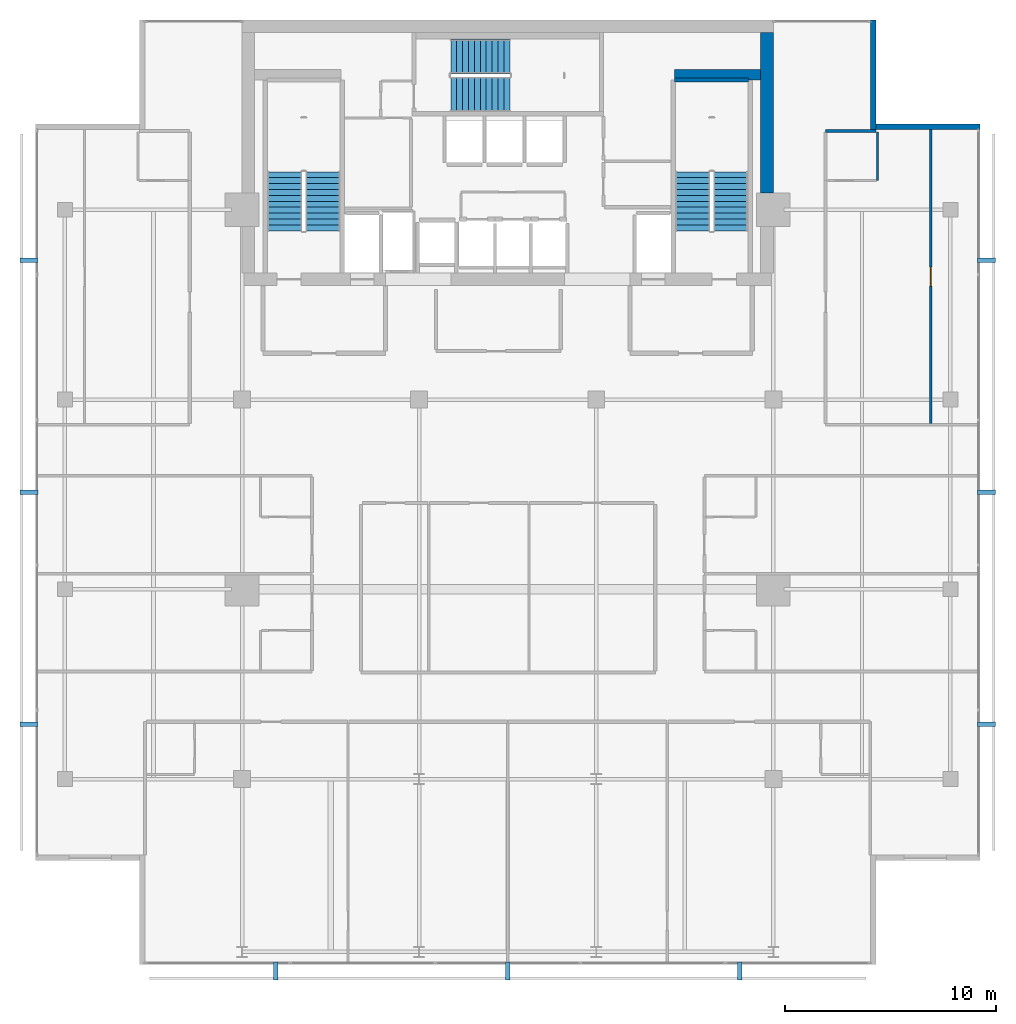
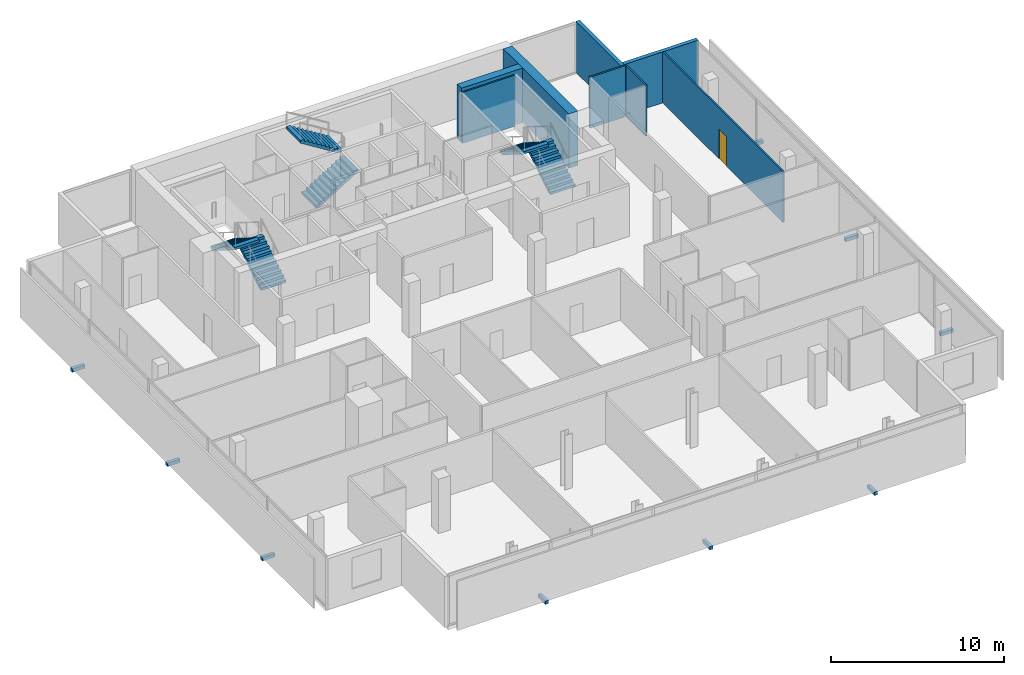
# One storey, part 23 of 25: 9 discrete accessories, 8 walls, 6 stair flights, 1 door, 1 opening, 3 elements without a shape of their own.
"""IFC4 building model written with IfcOpenShell, lengths in metres."""

from ifc_helpers import new_model, si_unit, direction, frame, frame_2d, origin, origin_2d, place, context, subcontext, project, spatial, polyline, rectangle, outline, extrude, material, layer, layer_set, type_object, element, fill, aggregate, save


model = new_model("IFC4")

# Units and contexts
model_context = context("Model", 3, precision=1e-05, world=origin(), true_north=direction((0.0, 1.0)))
body_context = subcontext(model_context, "Body", "Model", "MODEL_VIEW")
ifc_project = project(units=[si_unit("LENGTHUNIT", "METRE"), si_unit("AREAUNIT", "SQUARE_METRE"), si_unit("VOLUMEUNIT", "CUBIC_METRE"), si_unit("PLANEANGLEUNIT", "RADIAN"), si_unit("MASSUNIT", "GRAM", prefix="KILO")], contexts=[model_context])

# Site, building, storey
site_placement = place(None, origin())
site = spatial("IfcSite", under=ifc_project, at=site_placement, CompositionType="ELEMENT")
building_placement = place(site_placement, origin())
building = spatial("IfcBuilding", under=site, at=building_placement, Name="Maruvema Waterfront Hotel and Observation Tower", CompositionType="ELEMENT")
storey_placement = place(building_placement, frame((0.0, 0.0, 281.75)))
storey = spatial("IfcBuildingStorey", under=building, at=storey_placement, Name="L69", CompositionType="ELEMENT", Elevation=281.75)

# Walls
ifc_material_1 = material(Name="Precast concrete C45/55", Category="concrete")
ifc_layer_1 = layer(ifc_material_1, 0.199951171875, Name="Core Shaft and Stairwell Enclosure Wall 200 mm")
ifc_layer_set_1 = layer_set([ifc_layer_1], Name="Precast concrete C45/55")
wall_type_1 = type_object("IfcWallType", Name="Core Shaft and Stairwell Enclosure Wall 200 mm", PredefinedType="SOLIDWALL", material=ifc_layer_set_1)
wall_1_placement = place(storey_placement, frame((45.719970703125, 51.14990234375, 0.0), z_axis=(0.0, 0.0, 1.0), x_axis=(1.0, 0.0, 0.0)))
element("IfcWall", 1, at=wall_1_placement, inside=storey, type_object=wall_type_1, Name="L69 Stairwell ST-03 Shaft Lining Wall", PredefinedType="SOLIDWALL", context=body_context, shape_type="SweptSolid", body=[
    extrude(rectangle(XDim=3.5, YDim=0.199951171875, at=frame_2d((1.75, 0.0))), origin(), (0.0, 0.0, 1.0), 3.610107421875),
])
ifc_material_2 = material(Name="Concrete C70/85", Category="concrete")
ifc_layer_2 = layer(ifc_material_2, 0.5, Name="Core Shear Wall 500 mm")
ifc_layer_set_2 = layer_set([ifc_layer_2], Name="Concrete C70/85")
wall_type_2 = type_object("IfcWallType", Name="Core Shear Wall 500 mm", PredefinedType="SHEAR", material=ifc_layer_set_2)
wall_2_placement = place(storey_placement, frame((45.699951171875, 51.39990234375, 0.0), z_axis=(0.0, 0.0, 1.0), x_axis=(1.0, 0.0, 0.0)))
element("IfcWall", 2, at=wall_2_placement, inside=storey, type_object=wall_type_2, Name="L69 Internal Core Shear Wall NE 500 mm", PredefinedType="SHEAR", context=body_context, shape_type="SweptSolid", body=[
    extrude(rectangle(XDim=4.10009765625, YDim=0.5, at=frame_2d((2.050048828125, 0.0))), origin(), (0.0, 0.0, 1.0), 3.85009765625),
])
ifc_material_3 = material(Name="Concrete C60/75", Category="concrete")
ifc_layer_3 = layer(ifc_material_3, 0.60009765625, Name="Core Shear Wall 600 mm")
ifc_layer_set_3 = layer_set([ifc_layer_3], Name="Concrete C60/75")
wall_type_3 = type_object("IfcWallType", Name="Core Shear Wall 600 mm", PredefinedType="SHEAR", material=ifc_layer_set_3)
wall_3_placement = place(storey_placement, frame((50.10009765625, 45.800048828125, 0.0), z_axis=(0.0, 0.0, 1.0), x_axis=(0.0, 1.0, 0.0)))
element("IfcWall", 3, at=wall_3_placement, inside=storey, type_object=wall_type_3, Name="L69 East-North Core Shear Wall", PredefinedType="SHEAR", context=body_context, shape_type="SweptSolid", body=[
    extrude(rectangle(XDim=7.599853515625, YDim=0.60009765625, at=frame_2d((3.7998046875, 0.0))), origin(), (0.0, 0.0, 1.0), 3.85009765625),
])
ifc_material_4 = material(Name="Moisture-resistant cement-board drywall", Category="gypsum")
ifc_layer_4 = layer(ifc_material_4, 0.10009765625, Name="En-Suite Moisture-Resistant Partition 100 mm")
ifc_layer_set_4 = layer_set([ifc_layer_4], Name="Moisture-resistant cement-board drywall")
wall_type_4 = type_object("IfcWallType", Name="En-Suite Moisture-Resistant Partition 100 mm", PredefinedType="PARTITIONING", material=ifc_layer_set_4)
wall_4_placement = place(storey_placement, frame((55.330078125, 46.387451171875, 0.0), z_axis=(0.0, 0.0, 1.0), x_axis=(0.0, 1.0, 0.0)))
element("IfcWall", 4, at=wall_4_placement, inside=storey, type_object=wall_type_4, Name="L69 En-Suite L69-NE1 E 081", PredefinedType="PARTITIONING", context=body_context, shape_type="SweptSolid", body=[
    extrude(rectangle(XDim=2.2900390625, YDim=0.10009765625, at=frame_2d((1.14501953125, 0.0))), origin(), (0.0, 0.0, 1.0), 3.610107421875),
])

# Wall, opening, door
wall_5_placement = place(storey_placement, frame((57.8623046875, 34.860107421875, 0.0), z_axis=(0.0, 0.0, 1.0), x_axis=(0.0, 1.0, 0.0)))
wall_5 = element("IfcWall", 5, at=wall_5_placement, inside=storey, type_object=wall_type_4, Name="L69 Suite L69-NE1 Split 083", PredefinedType="PARTITIONING", context=body_context, shape_type="SweptSolid", body=[
    extrude(rectangle(XDim=13.9375, YDim=0.10009765625, at=frame_2d((6.96875, 0.0))), origin(), (0.0, 0.0, 1.0), 3.610107421875),
])
opening_placement = place(wall_5_placement, frame((6.518798828125, 0.0, 0.0)))
opening = element("IfcOpeningElement", 6, at=opening_placement, cuts=wall_5, Name="Opening DR-090", PredefinedType="OPENING", context=body_context, shape_type="SweptSolid", body=[
    extrude(rectangle(XDim=0.89990234375, YDim=2.10009765625, at=frame_2d((0.449951171875, 1.050048828125))), frame((0.0, 0.06005859375, 0.0), z_axis=(0.0, -1.0, 0.0), x_axis=(1.0, 0.0, 0.0)), (0.0, 0.0, 1.0), 0.1201171875),
])
ifc_material_5 = material(Name="Solid-core lacquered timber leaf", Category="wood")
door_type = type_object("IfcDoorType", Name="Accessible Toilet and Room Door 900x2100 mm", OperationType="NOTDEFINED", PredefinedType="DOOR", material=ifc_material_5)
door_placement = place(opening_placement, frame((0.89990234375, 0.0, 0.0), z_axis=(0.0, 0.0, 1.0), x_axis=(-1.0, 0.0, 0.0)))
door = element("IfcDoor", 7, at=door_placement, inside=storey, type_object=door_type, Name="L69 Suite L69-NE1 Bedroom Door", OperationType="SINGLE_SWING_LEFT", OverallHeight=2.10009765625, OverallWidth=0.89990234375, PredefinedType="DOOR", context=body_context, shape_type="SweptSolid", body=[
    extrude(rectangle(XDim=0.89990234375, YDim=2.10009765625, at=frame_2d((0.449951171875, 1.050048828125))), frame((0.0, 0.02490234375, 0.0), z_axis=(0.0, -1.0, 0.0), x_axis=(1.0, 0.0, 0.0)), (0.0, 0.0, 1.0), 0.050048828125),
])
fill(opening, door)

# Walls
ifc_material_6 = material(Name="Precast concrete C45/55 with honed Pernambuco granite facing", Category="masonry")
ifc_layer_5 = layer(ifc_material_6, 0.260009765625, Name="Exterior Granite Clad Spandrel and Pier Wall 260 mm")
ifc_layer_set_5 = layer_set([ifc_layer_5], Name="Precast concrete C45/55 with honed Pernambuco granite facing")
wall_type_5 = type_object("IfcWallType", Name="Exterior Granite Clad Spandrel and Pier Wall 260 mm", PredefinedType="SOLIDWALL", material=ifc_layer_set_5)
for number, where, z_axis, x_axis, name in (
    (8, (55.1298828125, 54.0, 0.0), (0.0, 0.0, 1.0), (0.0, -1.0, 0.0), "L69 Corner Notch Granite Pier Wall NE1"),
    (9, (55.0, 48.929931640625, 0.0), (0.0, 0.0, 1.0), (1.0, 0.0, 0.0), "L69 Corner Notch Granite Pier Wall NE2"),
):
    element("IfcWall", number, at=place(storey_placement, frame(where, z_axis=z_axis, x_axis=x_axis)), inside=storey, type_object=wall_type_5, Name=name, PredefinedType="SOLIDWALL", context=body_context, shape_type="SweptSolid", body=[
        extrude(rectangle(XDim=5.199951171875, YDim=0.260009765625, at=frame_2d((2.60009765625, 0.0))), origin(), (0.0, 0.0, 1.0), 3.610107421875),
    ])
ifc_material_7 = material(Name="Acoustic gypsum plasterboard drywall", Category="gypsum")
ifc_layer_6 = layer(ifc_material_7, 0.125, Name="Guestroom Acoustic Demising Wall 125 mm")
ifc_layer_set_6 = layer_set([ifc_layer_6], Name="Acoustic gypsum plasterboard drywall")
wall_type_6 = type_object("IfcWallType", Name="Guestroom Acoustic Demising Wall 125 mm", PredefinedType="PARTITIONING", material=ifc_layer_set_6)
wall_6_placement = place(storey_placement, frame((52.8798828125, 48.737548828125, 0.0), z_axis=(0.0, 0.0, 1.0), x_axis=(1.0, 0.0, 0.0)))
element("IfcWall", 10, at=wall_6_placement, inside=storey, type_object=wall_type_6, Name="L69 Z3 NE Top End 073", PredefinedType="PARTITIONING", context=body_context, shape_type="SweptSolid", body=[
    extrude(rectangle(XDim=2.380126953125, YDim=0.125, at=frame_2d((1.18994140625, 0.0))), origin(), (0.0, 0.0, 1.0), 3.610107421875),
])

# Stair, stair flights
ifc_material_8 = material(Name="Concrete C50/60", Category="concrete")
stair_type = type_object("IfcStairType", Name="Dogleg Exit Stair 1650 mm (22R x 175.0 mm)", PredefinedType="HALF_TURN_STAIR", material=ifc_material_8)
stair_1_placement = place(storey_placement, origin())
stair_1 = element("IfcStair", 11, at=stair_1_placement, inside=storey, type_object=stair_type, Name="L69 ST-01", PredefinedType="HALF_TURN_STAIR")
ifc_material_9 = material(Name="Concrete C50/60", Category="concrete")
stair_flight_type = type_object("IfcStairFlightType", Name="Reinforced Concrete Stair Flight 1650 mm (11R x 175.0 mm)", PredefinedType="STRAIGHT", material=ifc_material_9)
stair_flight_1_placement = place(storey_placement, frame((29.02490234375, 44.0, 0.0), z_axis=(0.0, 0.0, 1.0), x_axis=(0.0, 1.0, 0.0)))
stair_flight_1 = element("IfcStairFlight", 12, at=stair_flight_1_placement, type_object=stair_flight_type, Name="ST-01 flight 1", NumberOfRisers=11, NumberOfTreads=10, PredefinedType="STRAIGHT", RiserHeight=0.175, TreadLength=0.28, context=body_context, shape_type="SweptSolid", body=[
    extrude(outline(polyline([(0.0, 0.0), (0.0, 0.175048828125), (0.280029296875, 0.175048828125), (0.280029296875, 0.35009765625), (0.56005859375, 0.35009765625), (0.56005859375, 0.52490234375), (0.840087890625, 0.52490234375), (0.840087890625, 0.699951171875), (1.1201171875, 0.699951171875), (1.1201171875, 0.875), (1.39990234375, 0.875), (1.39990234375, 1.050048828125), (1.679931640625, 1.050048828125), (1.679931640625, 1.22509765625), (1.9599609375, 1.22509765625), (1.9599609375, 1.39990234375), (2.239990234375, 1.39990234375), (2.239990234375, 1.574951171875), (2.52001953125, 1.574951171875), (2.52001953125, 1.75), (2.800048828125, 1.75), (2.800048828125, 1.925048828125), (2.800048828125, 1.5732421875), (0.28271484375, 0.0), (0.0, 0.0)])), frame((0.0, 0.824951171875, 0.0), z_axis=(0.0, -1.0, 0.0), x_axis=(1.0, 0.0, 0.0)), (0.0, 0.0, 1.0), 1.64990234375),
])
stair_flight_2_placement = place(storey_placement, frame((27.22509765625, 46.800048828125, 1.925048828125), z_axis=(0.0, 0.0, 1.0), x_axis=(0.0, -1.0, 0.0)))
stair_flight_2 = element("IfcStairFlight", 13, at=stair_flight_2_placement, type_object=stair_flight_type, Name="ST-01 flight 2", NumberOfRisers=11, NumberOfTreads=10, PredefinedType="STRAIGHT", RiserHeight=0.175, TreadLength=0.28, context=body_context, shape_type="SweptSolid", body=[
    extrude(outline(polyline([(0.0, 0.0), (0.0, 0.175048828125), (0.280029296875, 0.175048828125), (0.280029296875, 0.35009765625), (0.56005859375, 0.35009765625), (0.56005859375, 0.52490234375), (0.840087890625, 0.52490234375), (0.840087890625, 0.699951171875), (1.1201171875, 0.699951171875), (1.1201171875, 0.875), (1.39990234375, 0.875), (1.39990234375, 1.050048828125), (1.679931640625, 1.050048828125), (1.679931640625, 1.22509765625), (1.9599609375, 1.22509765625), (1.9599609375, 1.39990234375), (2.239990234375, 1.39990234375), (2.239990234375, 1.574951171875), (2.52001953125, 1.574951171875), (2.52001953125, 1.75), (2.800048828125, 1.75), (2.800048828125, 1.925048828125), (2.800048828125, 1.5732421875), (0.28271484375, 0.0), (0.0, 0.0)])), frame((0.0, 0.824951171875, 0.0), z_axis=(0.0, -1.0, 0.0), x_axis=(1.0, 0.0, 0.0)), (0.0, 0.0, 1.0), 1.64990234375),
])
aggregate(stair_1, [stair_flight_1, stair_flight_2])

stair_2_placement = place(storey_placement, origin())
stair_2 = element("IfcStair", 14, at=stair_2_placement, inside=storey, type_object=stair_type, Name="L69 ST-02", PredefinedType="HALF_TURN_STAIR")
stair_flight_3_placement = place(storey_placement, frame((35.10009765625, 50.47509765625, 0.0), z_axis=(0.0, 0.0, 1.0), x_axis=(1.0, 0.0, 0.0)))
stair_flight_3 = element("IfcStairFlight", 15, at=stair_flight_3_placement, type_object=stair_flight_type, Name="ST-02 flight 1", NumberOfRisers=11, NumberOfTreads=10, PredefinedType="STRAIGHT", RiserHeight=0.175, TreadLength=0.28, context=body_context, shape_type="SweptSolid", body=[
    extrude(outline(polyline([(0.0, 0.0), (0.0, 0.175048828125), (0.280029296875, 0.175048828125), (0.280029296875, 0.35009765625), (0.56005859375, 0.35009765625), (0.56005859375, 0.52490234375), (0.840087890625, 0.52490234375), (0.840087890625, 0.699951171875), (1.1201171875, 0.699951171875), (1.1201171875, 0.875), (1.39990234375, 0.875), (1.39990234375, 1.050048828125), (1.679931640625, 1.050048828125), (1.679931640625, 1.22509765625), (1.9599609375, 1.22509765625), (1.9599609375, 1.39990234375), (2.239990234375, 1.39990234375), (2.239990234375, 1.574951171875), (2.52001953125, 1.574951171875), (2.52001953125, 1.75), (2.800048828125, 1.75), (2.800048828125, 1.925048828125), (2.800048828125, 1.5732421875), (0.28271484375, 0.0), (0.0, 0.0)])), frame((0.0, 0.824951171875, 0.0), z_axis=(0.0, -1.0, 0.0), x_axis=(1.0, 0.0, 0.0)), (0.0, 0.0, 1.0), 1.64990234375),
])
stair_flight_4_placement = place(storey_placement, frame((37.89990234375, 52.27490234375, 1.925048828125), z_axis=(0.0, 0.0, 1.0), x_axis=(-1.0, 0.0, 0.0)))
stair_flight_4 = element("IfcStairFlight", 16, at=stair_flight_4_placement, type_object=stair_flight_type, Name="ST-02 flight 2", NumberOfRisers=11, NumberOfTreads=10, PredefinedType="STRAIGHT", RiserHeight=0.175, TreadLength=0.28, context=body_context, shape_type="SweptSolid", body=[
    extrude(outline(polyline([(0.0, 0.0), (0.0, 0.175048828125), (0.280029296875, 0.175048828125), (0.280029296875, 0.35009765625), (0.56005859375, 0.35009765625), (0.56005859375, 0.52490234375), (0.840087890625, 0.52490234375), (0.840087890625, 0.699951171875), (1.1201171875, 0.699951171875), (1.1201171875, 0.875), (1.39990234375, 0.875), (1.39990234375, 1.050048828125), (1.679931640625, 1.050048828125), (1.679931640625, 1.22509765625), (1.9599609375, 1.22509765625), (1.9599609375, 1.39990234375), (2.239990234375, 1.39990234375), (2.239990234375, 1.574951171875), (2.52001953125, 1.574951171875), (2.52001953125, 1.75), (2.800048828125, 1.75), (2.800048828125, 1.925048828125), (2.800048828125, 1.5732421875), (0.28271484375, 0.0), (0.0, 0.0)])), frame((0.0, 0.824951171875, 0.0), z_axis=(0.0, -1.0, 0.0), x_axis=(1.0, 0.0, 0.0)), (0.0, 0.0, 1.0), 1.64990234375),
])
aggregate(stair_2, [stair_flight_3, stair_flight_4])

stair_3_placement = place(storey_placement, origin())
stair_3 = element("IfcStair", 17, at=stair_3_placement, inside=storey, type_object=stair_type, Name="L69 ST-03", PredefinedType="HALF_TURN_STAIR")
stair_flight_5_placement = place(storey_placement, frame((48.375, 44.0, 0.0), z_axis=(0.0, 0.0, 1.0), x_axis=(0.0, 1.0, 0.0)))
stair_flight_5 = element("IfcStairFlight", 18, at=stair_flight_5_placement, type_object=stair_flight_type, Name="ST-03 flight 1", NumberOfRisers=11, NumberOfTreads=10, PredefinedType="STRAIGHT", RiserHeight=0.175, TreadLength=0.28, context=body_context, shape_type="SweptSolid", body=[
    extrude(outline(polyline([(0.0, 0.0), (0.0, 0.175048828125), (0.280029296875, 0.175048828125), (0.280029296875, 0.35009765625), (0.56005859375, 0.35009765625), (0.56005859375, 0.52490234375), (0.840087890625, 0.52490234375), (0.840087890625, 0.699951171875), (1.1201171875, 0.699951171875), (1.1201171875, 0.875), (1.39990234375, 0.875), (1.39990234375, 1.050048828125), (1.679931640625, 1.050048828125), (1.679931640625, 1.22509765625), (1.9599609375, 1.22509765625), (1.9599609375, 1.39990234375), (2.239990234375, 1.39990234375), (2.239990234375, 1.574951171875), (2.52001953125, 1.574951171875), (2.52001953125, 1.75), (2.800048828125, 1.75), (2.800048828125, 1.925048828125), (2.800048828125, 1.5732421875), (0.28271484375, 0.0), (0.0, 0.0)])), frame((0.0, 0.824951171875, 0.0), z_axis=(0.0, -1.0, 0.0), x_axis=(1.0, 0.0, 0.0)), (0.0, 0.0, 1.0), 1.64990234375),
])
stair_flight_6_placement = place(storey_placement, frame((46.574951171875, 46.800048828125, 1.925048828125), z_axis=(0.0, 0.0, 1.0), x_axis=(0.0, -1.0, 0.0)))
stair_flight_6 = element("IfcStairFlight", 19, at=stair_flight_6_placement, type_object=stair_flight_type, Name="ST-03 flight 2", NumberOfRisers=11, NumberOfTreads=10, PredefinedType="STRAIGHT", RiserHeight=0.175, TreadLength=0.28, context=body_context, shape_type="SweptSolid", body=[
    extrude(outline(polyline([(0.0, 0.0), (0.0, 0.175048828125), (0.280029296875, 0.175048828125), (0.280029296875, 0.35009765625), (0.56005859375, 0.35009765625), (0.56005859375, 0.52490234375), (0.840087890625, 0.52490234375), (0.840087890625, 0.699951171875), (1.1201171875, 0.699951171875), (1.1201171875, 0.875), (1.39990234375, 0.875), (1.39990234375, 1.050048828125), (1.679931640625, 1.050048828125), (1.679931640625, 1.22509765625), (1.9599609375, 1.22509765625), (1.9599609375, 1.39990234375), (2.239990234375, 1.39990234375), (2.239990234375, 1.574951171875), (2.52001953125, 1.574951171875), (2.52001953125, 1.75), (2.800048828125, 1.75), (2.800048828125, 1.925048828125), (2.800048828125, 1.5732421875), (0.28271484375, 0.0), (0.0, 0.0)])), frame((0.0, 0.824951171875, 0.0), z_axis=(0.0, -1.0, 0.0), x_axis=(1.0, 0.0, 0.0)), (0.0, 0.0, 1.0), 1.64990234375),
])
aggregate(stair_3, [stair_flight_5, stair_flight_6])

# Discrete accessories
ifc_material_10 = material(Name="Duplex stainless steel Grade 2205", Category="steel")
discrete_accessory_type = type_object("IfcDiscreteAccessoryType", Name="Double-Skin Cavity Stainless Outrigger Bracket", PredefinedType="BRACKET", material=ifc_material_10)
for number, where, z_axis, x_axis, name in (
    (20, (26.7919921875, 8.89990234375, -0.14013671875), (0.0, 0.0, 1.0), (1.0, 0.0, 0.0), "L69 Outer Skin Support Bracket 1"),
    (21, (37.800048828125, 8.89990234375, -0.14013671875), (0.0, 0.0, 1.0), (1.0, 0.0, 0.0), "L69 Outer Skin Support Bracket 2"),
    (22, (48.80810546875, 8.89990234375, -0.14013671875), (0.0, 0.0, 1.0), (1.0, 0.0, 0.0), "L69 Outer Skin Support Bracket 3"),
    (23, (60.5, 20.592041015625, -0.14013671875), (0.0, 0.0, 1.0), (0.0, 1.0, 0.0), "L69 Outer Skin Support Bracket 1"),
    (24, (60.5, 31.60009765625, -0.14013671875), (0.0, 0.0, 1.0), (0.0, 1.0, 0.0), "L69 Outer Skin Support Bracket 2"),
    (25, (60.5, 42.60791015625, -0.14013671875), (0.0, 0.0, 1.0), (0.0, 1.0, 0.0), "L69 Outer Skin Support Bracket 3"),
    (26, (15.10009765625, 42.60791015625, -0.14013671875), (0.0, 0.0, 1.0), (0.0, -1.0, 0.0), "L69 Outer Skin Support Bracket 1"),
    (27, (15.10009765625, 31.60009765625, -0.14013671875), (0.0, 0.0, 1.0), (0.0, -1.0, 0.0), "L69 Outer Skin Support Bracket 2"),
    (28, (15.10009765625, 20.592041015625, -0.14013671875), (0.0, 0.0, 1.0), (0.0, -1.0, 0.0), "L69 Outer Skin Support Bracket 3"),
):
    element("IfcDiscreteAccessory", number, at=place(storey_placement, frame(where, z_axis=z_axis, x_axis=x_axis)), inside=storey, type_object=discrete_accessory_type, Name=name, PredefinedType="BRACKET", context=body_context, shape_type="SweptSolid", body=[
        extrude(rectangle(XDim=0.219970703125, YDim=0.860107421875, at=origin_2d()), origin(), (0.0, 0.0, 1.0), 0.239990234375),
    ])

save(model, "model.ifc")
